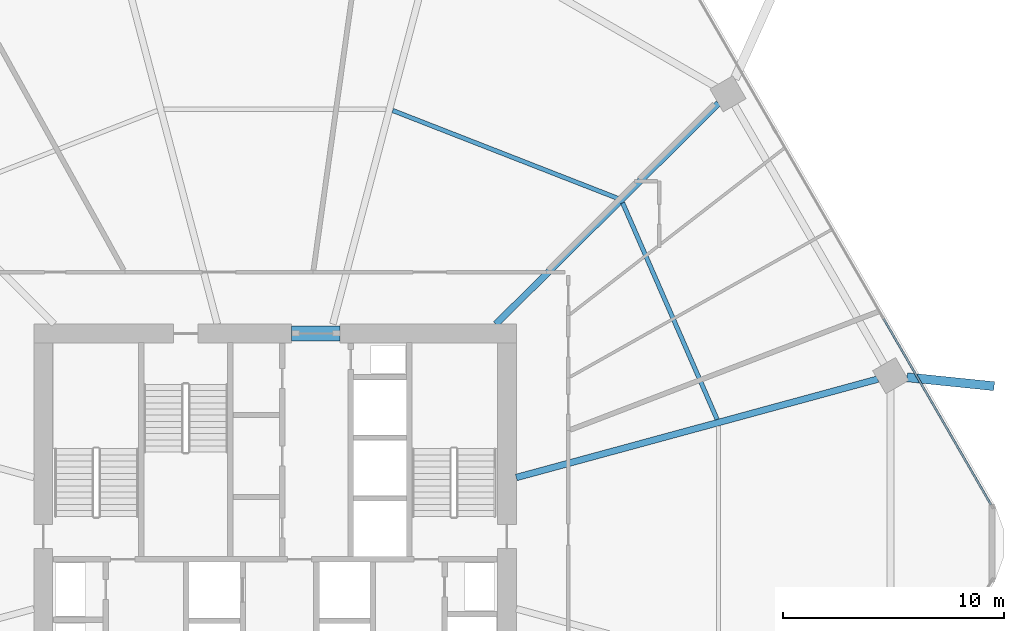
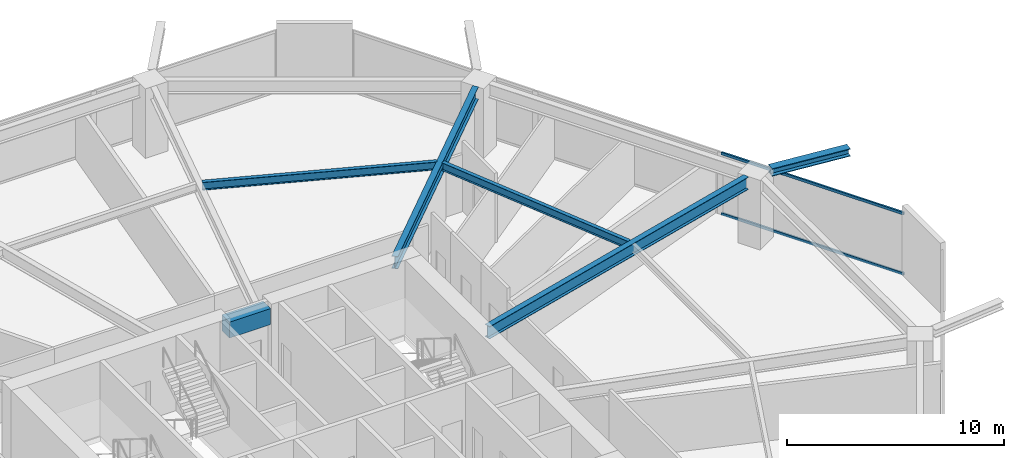
# One storey, part 16 of 25: 6 beams, 2 members, 1 element without a shape of its own.
"""IFC4 building model written with IfcOpenShell, lengths in metres."""

from ifc_helpers import new_model, si_unit, direction, frame, origin, origin_2d, place, context, subcontext, project, spatial, rectangle, hollow_rectangle, i_section, extrude, material, material_profile, profile_set, type_object, element, aggregate, save


model = new_model("IFC4")

# Units and contexts
model_context = context("Model", 3, precision=1e-05, world=origin(), true_north=direction((0.0, 1.0)))
body_context = subcontext(model_context, "Body", "Model", "MODEL_VIEW")
ifc_project = project(units=[si_unit("LENGTHUNIT", "METRE"), si_unit("AREAUNIT", "SQUARE_METRE"), si_unit("VOLUMEUNIT", "CUBIC_METRE"), si_unit("PLANEANGLEUNIT", "RADIAN"), si_unit("MASSUNIT", "GRAM", prefix="KILO")], contexts=[model_context])

# Site, building, storey
site_placement = place(None, origin())
site = spatial("IfcSite", under=ifc_project, at=site_placement, CompositionType="ELEMENT")
building_placement = place(site_placement, origin())
building = spatial("IfcBuilding", under=site, at=building_placement, Name="Zuhravey Tower", CompositionType="ELEMENT")
storey_placement = place(building_placement, frame((0.0, 0.0, 20.39990234375)))
storey = spatial("IfcBuildingStorey", under=building, at=storey_placement, Name="L05", CompositionType="ELEMENT", Elevation=20.39990234375)

# Beam
ifc_material_1 = material(Name="Concrete C60/75", Category="concrete")
ifc_material_profile_1 = material_profile(ifc_material_1, rectangle(XDim=0.699951171875, YDim=0.89990234375, at=origin_2d()), Name="RC-700x900")
ifc_profile_set_1 = profile_set([ifc_material_profile_1], Name="Concrete C60/75")
beam_type_1 = type_object("IfcBeamType", Name="Core Coupling Beam RC700x900", PredefinedType="LINTEL", material=ifc_profile_set_1)
beam_1_placement = place(storey_placement, frame((36.751953125, 41.5, 3.47021484375), z_axis=(1.0, 0.0, 0.0), x_axis=(0.0, 1.0, 0.0)))
element("IfcBeam", 1, at=beam_1_placement, inside=storey, type_object=beam_type_1, Name="L05 CB1 BM-L05-CB-N", PredefinedType="LINTEL", context=body_context, shape_type="SweptSolid", body=[
    extrude(rectangle(XDim=0.699951171875, YDim=0.89990234375, at=origin_2d()), origin(), (0.0, 0.0, 1.0), 2.196044921875),
])

# Curtain wall, members
ifc_material_2 = material(Name="Thermally broken anodised aluminium", Category="aluminium")
curtain_wall_type = type_object("IfcCurtainWallType", Name="School Low-E Unitised Curtain Wall CW1", PredefinedType="NOTDEFINED", material=ifc_material_2)
curtain_wall_placement = place(storey_placement, origin())
curtain_wall = element("IfcCurtainWall", 2, at=curtain_wall_placement, inside=storey, type_object=curtain_wall_type, Name="L05 CW1 CW-L05-F1-1", PredefinedType="NOTDEFINED")
ifc_material_3 = material(Name="Anodised aluminium", Category="aluminium")
ifc_material_profile_2 = material_profile(ifc_material_3, hollow_rectangle(XDim=0.090087890625, YDim=0.14990234375, WallThickness=0.0048828125, at=origin_2d()), Name="ALU-RHS-90x150x5")
ifc_profile_set_2 = profile_set([ifc_material_profile_2], Name="Anodised aluminium")
member_type = type_object("IfcMemberType", Name="Curtain-Wall Transom 90x150", PredefinedType="USERDEFINED", material=ifc_profile_set_2)
member_1_placement = place(storey_placement, frame((63.56787109375, 42.16796875, 0.045166015625), z_axis=(0.500008393077, -0.866020557985, 0.0), x_axis=(0.866020557985, 0.500008393077, 0.0)))
member_1 = element("IfcMember", 3, at=member_1_placement, type_object=member_type, Name="CW1 transom 3.1", ObjectType="TRANSOM", PredefinedType="USERDEFINED", context=body_context, shape_type="SweptSolid", body=[
    extrude(hollow_rectangle(XDim=0.090087890625, YDim=0.14990234375, WallThickness=0.0048828125, at=origin_2d()), origin(), (0.0, 0.0, 1.0), 9.731201171875),
])
member_2_placement = place(storey_placement, frame((63.56787109375, 42.16796875, 3.447021484375), z_axis=(0.500008393077, -0.866020557985, 0.0), x_axis=(0.866020557985, 0.500008393077, 0.0)))
member_2 = element("IfcMember", 4, at=member_2_placement, type_object=member_type, Name="CW1 transom 3.2", ObjectType="TRANSOM", PredefinedType="USERDEFINED", context=body_context, shape_type="SweptSolid", body=[
    extrude(hollow_rectangle(XDim=0.090087890625, YDim=0.14990234375, WallThickness=0.0048828125, at=origin_2d()), origin(), (0.0, 0.0, 1.0), 9.731201171875),
])
aggregate(curtain_wall, [member_1, member_2])

# Beams
ifc_material_4 = material(Name="Steel SM460", Category="steel")
ifc_material_profile_3 = material_profile(ifc_material_4, i_section(OverallWidth=0.406982421875, OverallDepth=0.427978515625, WebThickness=0.02001953125, FlangeThickness=0.034912109375, at=origin_2d()), Name="H-428x407x20x35")
ifc_profile_set_3 = profile_set([ifc_material_profile_3], Name="Steel SM460")
beam_type_2 = type_object("IfcBeamType", Name="Exoskeleton Node Tie Beam H428x407", PredefinedType="BEAM", material=ifc_profile_set_3)
beam_2_placement = place(storey_placement, frame((64.62939453125, 39.515869140625, 3.7060546875), z_axis=(0.994802246084, -0.101825788417, 0.0), x_axis=(0.101825788417, 0.994802246084, 0.0)))
element("IfcBeam", 5, at=beam_2_placement, inside=storey, type_object=beam_type_2, Name="L05 Exoskeleton Node Tie NT1-01", PredefinedType="BEAM", context=body_context, shape_type="SweptSolid", body=[
    extrude(i_section(OverallWidth=0.406982421875, OverallDepth=0.427978515625, WebThickness=0.02001953125, FlangeThickness=0.034912109375, at=origin_2d()), origin(), (0.0, 0.0, 1.0), 3.965576171875),
])
ifc_material_5 = material(Name="Steel SM355", Category="steel")
ifc_material_profile_4 = material_profile(ifc_material_5, i_section(OverallWidth=0.300048828125, OverallDepth=0.699951171875, WebThickness=0.012939453125, FlangeThickness=0.02392578125, at=origin_2d()), Name="H-700x300x13x24")
ifc_profile_set_4 = profile_set([ifc_material_profile_4], Name="Steel SM355")
beam_type_3 = type_object("IfcBeamType", Name="Radial Primary Girder H700x300", PredefinedType="BEAM", material=ifc_profile_set_4)
beam_3_placement = place(storey_placement, frame((46.927978515625, 34.974609375, 3.570068359375), z_axis=(0.964892480455, 0.26264520015, 0.0), x_axis=(-0.26264520015, 0.964892480455, 0.0)))
element("IfcBeam", 6, at=beam_3_placement, inside=storey, type_object=beam_type_3, Name="L05 RG1 BM-L05-RAD-01", PredefinedType="BEAM", context=body_context, shape_type="SweptSolid", body=[
    extrude(i_section(OverallWidth=0.300048828125, OverallDepth=0.699951171875, WebThickness=0.012939453125, FlangeThickness=0.02392578125, at=origin_2d()), origin(), (0.0, 0.0, 1.0), 16.975341796875),
])
beam_4_placement = place(storey_placement, frame((46.007080078125, 41.927978515625, 3.570068359375), z_axis=(0.709902823282, 0.704299639, 0.0), x_axis=(-0.704299639, 0.709902823282, 0.0)))
element("IfcBeam", 7, at=beam_4_placement, inside=storey, type_object=beam_type_3, Name="L05 RG1 BM-L05-RAD-02", PredefinedType="BEAM", context=body_context, shape_type="SweptSolid", body=[
    extrude(i_section(OverallWidth=0.300048828125, OverallDepth=0.699951171875, WebThickness=0.012939453125, FlangeThickness=0.02392578125, at=origin_2d()), origin(), (0.0, 0.0, 1.0), 14.204345703125),
])
ifc_material_profile_5 = material_profile(ifc_material_5, i_section(OverallWidth=0.199951171875, OverallDepth=0.449951171875, WebThickness=0.009033203125, FlangeThickness=0.013916015625, at=origin_2d()), Name="H-450x200x9x14")
ifc_profile_set_5 = profile_set([ifc_material_profile_5], Name="Steel SM355")
beam_type_4 = type_object("IfcBeamType", Name="Secondary Floor Joist H450x200", PredefinedType="JOIST", material=ifc_profile_set_5)
beam_5_placement = place(storey_placement, frame((56.025390625, 37.60888671875, 3.695068359375), z_axis=(-0.399923551578, 0.916548500022, 0.0), x_axis=(-0.916548500022, -0.399923551578, 0.0)))
element("IfcBeam", 8, at=beam_5_placement, inside=storey, type_object=beam_type_4, Name="L05 SJ1 BM-L05-SJ-01-1", PredefinedType="JOIST", context=body_context, shape_type="SweptSolid", body=[
    extrude(i_section(OverallWidth=0.199951171875, OverallDepth=0.449951171875, WebThickness=0.009033203125, FlangeThickness=0.013916015625, at=origin_2d()), origin(), (0.0, 0.0, 1.0), 10.70263671875),
])
beam_6_placement = place(storey_placement, frame((51.5400390625, 47.61572265625, 3.695068359375), z_axis=(-0.931516535886, 0.363698973562, 0.0), x_axis=(-0.363698973562, -0.931516535886, 0.0)))
element("IfcBeam", 9, at=beam_6_placement, inside=storey, type_object=beam_type_4, Name="L05 SJ1 BM-L05-SJ-02-1", PredefinedType="JOIST", context=body_context, shape_type="SweptSolid", body=[
    extrude(i_section(OverallWidth=0.199951171875, OverallDepth=0.449951171875, WebThickness=0.009033203125, FlangeThickness=0.013916015625, at=origin_2d()), origin(), (0.0, 0.0, 1.0), 10.963134765625),
])

save(model, "model.ifc")
